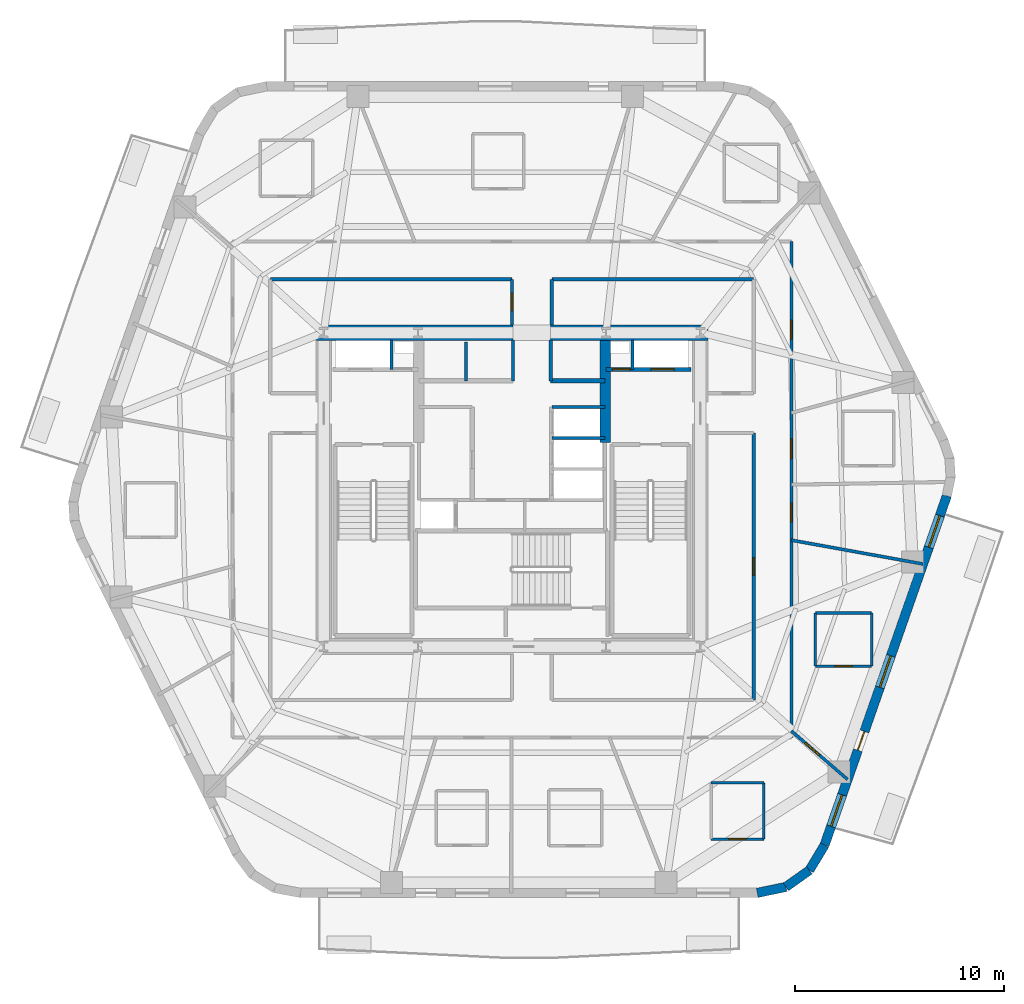
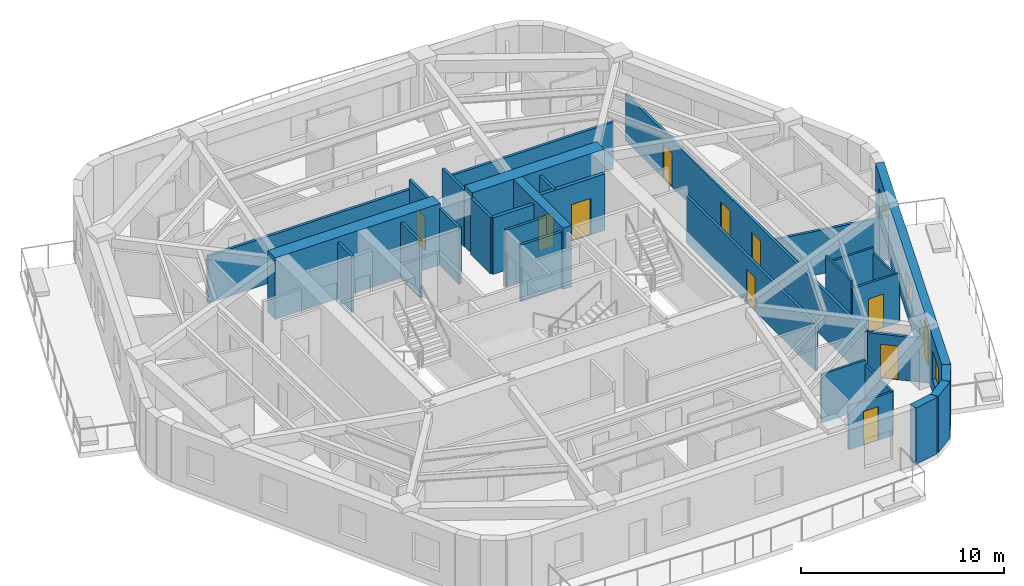
# One storey, part 5 of 11: 31 walls, 11 doors, 3 windows, 14 openings.
"""IFC4 building model written with IfcOpenShell, lengths in metres."""

from ifc_helpers import new_model, si_unit, direction, frame, frame_2d, origin, place, context, subcontext, project, spatial, rectangle, extrude, material, layer, layer_set, type_object, element, fill, save


model = new_model("IFC4")

# Units and contexts
model_context = context("Model", 3, precision=1e-05, world=origin(), true_north=direction((0.0, 1.0)))
body_context = subcontext(model_context, "Body", "Model", "MODEL_VIEW")
ifc_project = project(units=[si_unit("LENGTHUNIT", "METRE"), si_unit("AREAUNIT", "SQUARE_METRE"), si_unit("VOLUMEUNIT", "CUBIC_METRE"), si_unit("PLANEANGLEUNIT", "RADIAN"), si_unit("MASSUNIT", "GRAM", prefix="KILO")], contexts=[model_context])

# Site, building, storey
site_placement = place(None, origin())
site = spatial("IfcSite", under=ifc_project, at=site_placement, CompositionType="ELEMENT")
building_placement = place(site_placement, origin())
building = spatial("IfcBuilding", under=site, at=building_placement, Name="Kilnhurst Terrace Hotel", CompositionType="ELEMENT")
storey_placement = place(building_placement, frame((0.0, 0.0, 194.10009765625)))
storey = spatial("IfcBuildingStorey", under=building, at=storey_placement, Name="L48", CompositionType="ELEMENT", Elevation=194.10009765625)

# Walls
ifc_material_1 = material(Name="Precast concrete C40/50", Category="concrete")
ifc_layer_1 = layer(ifc_material_1, 0.449951171875, Name="Precast concrete C40/50")
ifc_layer_set_1 = layer_set([ifc_layer_1], Name="Precast concrete C40/50")
wall_type_1 = type_object("IfcWallType", Name="WL-BRK-450", PredefinedType="SOLIDWALL", material=ifc_layer_set_1)
wall_1_placement = place(storey_placement, frame((11.720458984375, -19.27490234375, 0.0), z_axis=(0.0, 0.0, 1.0), x_axis=(0.97893106758, 0.204191001093, 0.0)))
element("IfcWall", 1, at=wall_1_placement, inside=storey, type_object=wall_type_1, Name="L48 Rounded Corner Brick Wall C2.1", PredefinedType="SOLIDWALL", context=body_context, shape_type="SweptSolid", body=[
    extrude(rectangle(XDim=1.400146484375, YDim=0.449951171875, at=frame_2d((0.7001953125, 0.0))), origin(), (0.0, 0.0, 1.0), 3.39990234375),
])
wall_2_placement = place(storey_placement, frame((13.091064453125, -18.989013671875, 0.0), z_axis=(0.0, 0.0, 1.0), x_axis=(0.815574637848, 0.578651890258, 0.0)))
element("IfcWall", 2, at=wall_2_placement, inside=storey, type_object=wall_type_1, Name="L48 Rounded Corner Brick Wall C2.2", PredefinedType="SOLIDWALL", context=body_context, shape_type="SweptSolid", body=[
    extrude(rectangle(XDim=1.376708984375, YDim=0.449951171875, at=frame_2d((0.6884765625, 0.0))), origin(), (0.0, 0.0, 1.0), 3.39990234375),
])
wall_3_placement = place(storey_placement, frame((14.2138671875, -18.1923828125, 0.0), z_axis=(0.0, 0.0, 1.0), x_axis=(0.516340945502, 0.856383108193, 0.0)))
element("IfcWall", 3, at=wall_3_placement, inside=storey, type_object=wall_type_1, Name="L48 Rounded Corner Brick Wall C2.3", PredefinedType="SOLIDWALL", context=body_context, shape_type="SweptSolid", body=[
    extrude(rectangle(XDim=1.400146484375, YDim=0.449951171875, at=frame_2d((0.7001953125, 0.0))), origin(), (0.0, 0.0, 1.0), 3.39990234375),
])

# Wall, openings, door, windows
wall_4_placement = place(storey_placement, frame((14.936767578125, -16.993408203125, 0.0), z_axis=(0.0, 0.0, 1.0), x_axis=(0.330431575061, 0.943829949834, 0.0)))
wall_4 = element("IfcWall", 4, at=wall_4_placement, inside=storey, type_object=wall_type_1, Name="L48 Exterior Brick Facade Wall F2", PredefinedType="SOLIDWALL", context=body_context, shape_type="SweptSolid", body=[
    extrude(rectangle(XDim=17.68896484375, YDim=0.449951171875, at=frame_2d((8.844482421875, 0.0))), origin(), (0.0, 0.0, 1.0), 3.39990234375),
])
opening_1_placement = place(wall_4_placement, frame((4.806884765625, 0.0, 0.0)))
opening_1 = element("IfcOpeningElement", 5, at=opening_1_placement, cuts=wall_4, Name="Opening BD-950", PredefinedType="OPENING", context=body_context, shape_type="SweptSolid", body=[
    extrude(rectangle(XDim=0.949951171875, YDim=2.14990234375, at=frame_2d((0.47509765625, 1.074951171875))), frame((0.0, 0.23486328125, 0.0), z_axis=(0.0, -1.0, 0.0), x_axis=(1.0, 0.0, 0.0)), (0.0, 0.0, 1.0), 0.469970703125),
])
opening_2_placement = place(wall_4_placement, frame((0.949951171875, 0.0, 0.800048828125)))
opening_2 = element("IfcOpeningElement", 6, at=opening_2_placement, cuts=wall_4, Name="Opening W-05", PredefinedType="OPENING", context=body_context, shape_type="SweptSolid", body=[
    extrude(rectangle(XDim=1.60009765625, YDim=1.75, at=frame_2d((0.800048828125, 0.875))), frame((0.0, 0.23486328125, 0.0), z_axis=(0.0, -1.0, 0.0), x_axis=(1.0, 0.0, 0.0)), (0.0, 0.0, 1.0), 0.469970703125),
])
opening_3_placement = place(wall_4_placement, frame((7.989990234375, 0.0, 0.800048828125)))
opening_3 = element("IfcOpeningElement", 7, at=opening_3_placement, cuts=wall_4, Name="Opening W-05", PredefinedType="OPENING", context=body_context, shape_type="SweptSolid", body=[
    extrude(rectangle(XDim=1.60009765625, YDim=1.75, at=frame_2d((0.800048828125, 0.875))), frame((0.0, 0.23486328125, 0.0), z_axis=(0.0, -1.0, 0.0), x_axis=(1.0, 0.0, 0.0)), (0.0, 0.0, 1.0), 0.469970703125),
])
opening_4_placement = place(wall_4_placement, frame((15.083984375, 0.0, 0.800048828125)))
opening_4 = element("IfcOpeningElement", 8, at=opening_4_placement, cuts=wall_4, Name="Opening W-05", PredefinedType="OPENING", context=body_context, shape_type="SweptSolid", body=[
    extrude(rectangle(XDim=1.60009765625, YDim=1.75, at=frame_2d((0.800048828125, 0.875))), frame((0.0, 0.23486328125, 0.0), z_axis=(0.0, -1.0, 0.0), x_axis=(1.0, 0.0, 0.0)), (0.0, 0.0, 1.0), 0.469970703125),
])
ifc_material_2 = material(Name="Thermally Broken Bronze Aluminium Alloy 6063-T6 and Laminated Glass", Category="aluminium")
door_type_1 = type_object("IfcDoorType", Name="DR-EXT-BAL-950", OperationType="NOTDEFINED", PredefinedType="DOOR", material=ifc_material_2)
door_1_placement = place(opening_1_placement, origin())
door_1 = element("IfcDoor", 9, at=door_1_placement, inside=storey, type_object=door_type_1, Name="L48 Planted Balcony Door BAL-L1B", OperationType="SINGLE_SWING_RIGHT", OverallHeight=2.14990234375, OverallWidth=0.949951171875, PredefinedType="DOOR", context=body_context, shape_type="SweptSolid", body=[
    extrude(rectangle(XDim=0.949951171875, YDim=2.14990234375, at=frame_2d((0.47509765625, 1.074951171875))), frame((0.0, 0.02490234375, 0.0), z_axis=(0.0, -1.0, 0.0), x_axis=(1.0, 0.0, 0.0)), (0.0, 0.0, 1.0), 0.050048828125),
])
fill(opening_1, door_1)
ifc_material_3 = material(Name="Thermally Broken Bronze Aluminium Alloy 6063-T6 and Low-E Glass", Category="aluminium")
window_type = type_object("IfcWindowType", Name="WIN-1600X1750", PartitioningType="SINGLE_PANEL", PredefinedType="WINDOW", material=ifc_material_3)
window_1_placement = place(opening_2_placement, origin())
window_1 = element("IfcWindow", 10, at=window_1_placement, inside=storey, type_object=window_type, Name="L48 Deep-Set Masonry Window F2.1", OverallHeight=1.75, OverallWidth=1.60009765625, PartitioningType="SINGLE_PANEL", PredefinedType="WINDOW", context=body_context, shape_type="SweptSolid", body=[
    extrude(rectangle(XDim=1.60009765625, YDim=1.75, at=frame_2d((0.800048828125, 0.875))), frame((0.0, 0.030029296875, 0.0), z_axis=(0.0, -1.0, 0.0), x_axis=(1.0, 0.0, 0.0)), (0.0, 0.0, 1.0), 0.06005859375),
])
fill(opening_2, window_1)
window_2_placement = place(opening_3_placement, origin())
window_2 = element("IfcWindow", 11, at=window_2_placement, inside=storey, type_object=window_type, Name="L48 Deep-Set Masonry Window F2.2", OverallHeight=1.75, OverallWidth=1.60009765625, PartitioningType="SINGLE_PANEL", PredefinedType="WINDOW", context=body_context, shape_type="SweptSolid", body=[
    extrude(rectangle(XDim=1.60009765625, YDim=1.75, at=frame_2d((0.800048828125, 0.875))), frame((0.0, 0.030029296875, 0.0), z_axis=(0.0, -1.0, 0.0), x_axis=(1.0, 0.0, 0.0)), (0.0, 0.0, 1.0), 0.06005859375),
])
fill(opening_3, window_2)
window_3_placement = place(opening_4_placement, origin())
window_3 = element("IfcWindow", 12, at=window_3_placement, inside=storey, type_object=window_type, Name="L48 Deep-Set Masonry Window F2.3", OverallHeight=1.75, OverallWidth=1.60009765625, PartitioningType="SINGLE_PANEL", PredefinedType="WINDOW", context=body_context, shape_type="SweptSolid", body=[
    extrude(rectangle(XDim=1.60009765625, YDim=1.75, at=frame_2d((0.800048828125, 0.875))), frame((0.0, 0.030029296875, 0.0), z_axis=(0.0, -1.0, 0.0), x_axis=(1.0, 0.0, 0.0)), (0.0, 0.0, 1.0), 0.06005859375),
])
fill(opening_4, window_3)

# Wall, openings, doors
ifc_material_4 = material(Name="Acoustic Double-Gypsum Corridor Partition Assembly")
ifc_layer_2 = layer(ifc_material_4, 0.14990234375, Name="Acoustic Double-Gypsum Corridor Partition Assembly")
ifc_layer_set_2 = layer_set([ifc_layer_2], Name="Acoustic Double-Gypsum Corridor Partition Assembly")
wall_type_2 = type_object("IfcWallType", Name="WL-COR-150", PredefinedType="PARTITIONING", material=ifc_layer_set_2)
wall_5_placement = place(storey_placement, frame((13.35009765625, 11.85009765625, 0.0), z_axis=(0.0, 0.0, 1.0), x_axis=(0.0, -1.0, 0.0)))
wall_5 = element("IfcWall", 13, at=wall_5_placement, inside=storey, type_object=wall_type_2, Name="L48 Interior Wall WL-L48-COR-04", PredefinedType="PARTITIONING", context=body_context, shape_type="SweptSolid", body=[
    extrude(rectangle(XDim=23.7001953125, YDim=0.14990234375, at=frame_2d((11.85009765625, 0.0))), origin(), (0.0, 0.0, 1.0), 2.83984375),
])
opening_5_placement = place(wall_5_placement, frame((9.424072265625, 0.0, 0.0)))
opening_5 = element("IfcOpeningElement", 14, at=opening_5_placement, cuts=wall_5, Name="Opening D-60B", PredefinedType="OPENING", context=body_context, shape_type="SweptSolid", body=[
    extrude(rectangle(XDim=0.949951171875, YDim=2.030029296875, at=frame_2d((0.47509765625, 1.01513671875))), frame((0.0, 0.0849609375, 0.0), z_axis=(0.0, -1.0, 0.0), x_axis=(1.0, 0.0, 0.0)), (0.0, 0.0, 1.0), 0.169921875),
])
opening_6_placement = place(wall_5_placement, frame((3.764892578125, 0.0, 0.0)))
opening_6 = element("IfcOpeningElement", 15, at=opening_6_placement, cuts=wall_5, Name="Opening D-60C", PredefinedType="OPENING", context=body_context, shape_type="SweptSolid", body=[
    extrude(rectangle(XDim=0.89990234375, YDim=2.030029296875, at=frame_2d((0.449951171875, 1.01513671875))), frame((0.0, 0.0849609375, 0.0), z_axis=(0.0, -1.0, 0.0), x_axis=(1.0, 0.0, 0.0)), (0.0, 0.0, 1.0), 0.169921875),
])
opening_7_placement = place(wall_5_placement, frame((12.493896484375, 0.0, 0.0)))
opening_7 = element("IfcOpeningElement", 16, at=opening_7_placement, cuts=wall_5, Name="Opening D-60C", PredefinedType="OPENING", context=body_context, shape_type="SweptSolid", body=[
    extrude(rectangle(XDim=0.89990234375, YDim=2.030029296875, at=frame_2d((0.449951171875, 1.01513671875))), frame((0.0, 0.0849609375, 0.0), z_axis=(0.0, -1.0, 0.0), x_axis=(1.0, 0.0, 0.0)), (0.0, 0.0, 1.0), 0.169921875),
])
ifc_material_5 = material(Name="Painted Solid-Core Service Fire Door")
door_type_2 = type_object("IfcDoorType", Name="DR-FD60-900", OperationType="NOTDEFINED", PredefinedType="DOOR", material=ifc_material_5)
door_2_placement = place(opening_6_placement, origin())
door_2 = element("IfcDoor", 17, at=door_2_placement, inside=storey, type_object=door_type_2, Name="L48 Private Study Salon Door 2", OperationType="SINGLE_SWING_RIGHT", OverallHeight=2.030029296875, OverallWidth=0.89990234375, PredefinedType="DOOR", context=body_context, shape_type="SweptSolid", body=[
    extrude(rectangle(XDim=0.89990234375, YDim=2.030029296875, at=frame_2d((0.449951171875, 1.01513671875))), frame((0.0, 0.02490234375, 0.0), z_axis=(0.0, -1.0, 0.0), x_axis=(1.0, 0.0, 0.0)), (0.0, 0.0, 1.0), 0.050048828125),
])
fill(opening_6, door_2)
door_3_placement = place(opening_7_placement, origin())
door_3 = element("IfcDoor", 18, at=door_3_placement, inside=storey, type_object=door_type_2, Name="L48 Private Study Salon Door 17", OperationType="SINGLE_SWING_LEFT", OverallHeight=2.030029296875, OverallWidth=0.89990234375, PredefinedType="DOOR", context=body_context, shape_type="SweptSolid", body=[
    extrude(rectangle(XDim=0.89990234375, YDim=2.030029296875, at=frame_2d((0.449951171875, 1.01513671875))), frame((0.0, 0.02490234375, 0.0), z_axis=(0.0, -1.0, 0.0), x_axis=(1.0, 0.0, 0.0)), (0.0, 0.0, 1.0), 0.050048828125),
])
fill(opening_7, door_3)
ifc_material_6 = material(Name="Acoustic Walnut Veneer Solid-Core Fire Door")
door_type_3 = type_object("IfcDoorType", Name="DR-FD60-950", OperationType="NOTDEFINED", PredefinedType="DOOR", material=ifc_material_6)
door_4_placement = place(opening_5_placement, origin())
door_4 = element("IfcDoor", 19, at=door_4_placement, inside=storey, type_object=door_type_3, Name="L48 Guest Room Entry Door 1", OperationType="SINGLE_SWING_LEFT", OverallHeight=2.030029296875, OverallWidth=0.949951171875, PredefinedType="DOOR", context=body_context, shape_type="SweptSolid", body=[
    extrude(rectangle(XDim=0.949951171875, YDim=2.030029296875, at=frame_2d((0.47509765625, 1.01513671875))), frame((0.0, 0.02490234375, 0.0), z_axis=(0.0, -1.0, 0.0), x_axis=(1.0, 0.0, 0.0)), (0.0, 0.0, 1.0), 0.050048828125),
])
fill(opening_5, door_4)

# Wall, opening, door
wall_6_placement = place(storey_placement, frame((11.550048828125, -10.050048828125, 0.0), z_axis=(0.0, 0.0, 1.0), x_axis=(0.0, 1.0, 0.0)))
wall_6 = element("IfcWall", 20, at=wall_6_placement, inside=storey, type_object=wall_type_2, Name="L48 Interior Wall WL-L48-COR-05", PredefinedType="PARTITIONING", context=body_context, shape_type="SweptSolid", body=[
    extrude(rectangle(XDim=12.75, YDim=0.14990234375, at=frame_2d((6.375, 0.0))), origin(), (0.0, 0.0, 1.0), 2.83984375),
])
opening_8_placement = place(wall_6_placement, frame((5.949951171875, 0.0, 0.0)))
opening_8 = element("IfcOpeningElement", 21, at=opening_8_placement, cuts=wall_6, Name="Opening D-60D", PredefinedType="OPENING", context=body_context, shape_type="SweptSolid", body=[
    extrude(rectangle(XDim=0.85009765625, YDim=2.030029296875, at=frame_2d((0.425048828125, 1.01513671875))), frame((0.0, 0.0849609375, 0.0), z_axis=(0.0, -1.0, 0.0), x_axis=(1.0, 0.0, 0.0)), (0.0, 0.0, 1.0), 0.169921875),
])
ifc_material_7 = material(Name="Painted Hollow Metal Steel ASTM A36 Riser Door", Category="steel")
door_type_4 = type_object("IfcDoorType", Name="DR-FD60-850", OperationType="NOTDEFINED", PredefinedType="DOOR", material=ifc_material_7)
door_5_placement = place(opening_8_placement, origin())
door_5 = element("IfcDoor", 22, at=door_5_placement, inside=storey, type_object=door_type_4, Name="L48 Floor Electrical Switch Room Door", OperationType="SINGLE_SWING_RIGHT", OverallHeight=2.030029296875, OverallWidth=0.85009765625, PredefinedType="DOOR", context=body_context, shape_type="SweptSolid", body=[
    extrude(rectangle(XDim=0.85009765625, YDim=2.030029296875, at=frame_2d((0.425048828125, 1.01513671875))), frame((0.0, 0.02490234375, 0.0), z_axis=(0.0, -1.0, 0.0), x_axis=(1.0, 0.0, 0.0)), (0.0, 0.0, 1.0), 0.050048828125),
])
fill(opening_8, door_5)

# Walls
wall_7_placement = place(storey_placement, frame((11.550048828125, 10.050048828125, 0.0), z_axis=(0.0, 0.0, 1.0), x_axis=(-1.0, 0.0, 0.0)))
element("IfcWall", 23, at=wall_7_placement, inside=storey, type_object=wall_type_2, Name="L48 Interior Wall WL-L48-COR-09", PredefinedType="PARTITIONING", context=body_context, shape_type="SweptSolid", body=[
    extrude(rectangle(XDim=9.650146484375, YDim=0.14990234375, at=frame_2d((4.8251953125, 0.0))), origin(), (0.0, 0.0, 1.0), 2.83984375),
])
wall_8_placement = place(storey_placement, frame((1.89990234375, 10.050048828125, 0.0), z_axis=(0.0, 0.0, 1.0), x_axis=(0.0, -1.0, 0.0)))
element("IfcWall", 24, at=wall_8_placement, inside=storey, type_object=wall_type_2, Name="L48 Interior Wall WL-L48-COR-10", PredefinedType="PARTITIONING", context=body_context, shape_type="SweptSolid", body=[
    extrude(rectangle(XDim=2.175048828125, YDim=0.14990234375, at=frame_2d((1.08740234375, 0.0))), origin(), (0.0, 0.0, 1.0), 3.39990234375),
])

# Wall, opening, door
wall_9_placement = place(storey_placement, frame((0.0, 7.875, 0.0), z_axis=(0.0, 0.0, 1.0), x_axis=(0.0, 1.0, 0.0)))
wall_9 = element("IfcWall", 25, at=wall_9_placement, inside=storey, type_object=wall_type_2, Name="L48 Interior Wall WL-L48-COR-11", PredefinedType="PARTITIONING", context=body_context, shape_type="SweptSolid", body=[
    extrude(rectangle(XDim=2.175048828125, YDim=0.14990234375, at=frame_2d((1.08740234375, 0.0))), origin(), (0.0, 0.0, 1.0), 3.39990234375),
])
opening_9_placement = place(wall_9_placement, frame((0.6630859375, 0.0, 0.0)))
opening_9 = element("IfcOpeningElement", 26, at=opening_9_placement, cuts=wall_9, Name="Opening D-60D", PredefinedType="OPENING", context=body_context, shape_type="SweptSolid", body=[
    extrude(rectangle(XDim=0.85009765625, YDim=2.030029296875, at=frame_2d((0.425048828125, 1.01513671875))), frame((0.0, 0.0849609375, 0.0), z_axis=(0.0, -1.0, 0.0), x_axis=(1.0, 0.0, 0.0)), (0.0, 0.0, 1.0), 0.169921875),
])
door_6_placement = place(opening_9_placement, origin())
door_6 = element("IfcDoor", 27, at=door_6_placement, inside=storey, type_object=door_type_4, Name="L48 Floor Valet Equipment Store Door", OperationType="SINGLE_SWING_RIGHT", OverallHeight=2.030029296875, OverallWidth=0.85009765625, PredefinedType="DOOR", context=body_context, shape_type="SweptSolid", body=[
    extrude(rectangle(XDim=0.85009765625, YDim=2.030029296875, at=frame_2d((0.425048828125, 1.01513671875))), frame((0.0, 0.02490234375, 0.0), z_axis=(0.0, -1.0, 0.0), x_axis=(1.0, 0.0, 0.0)), (0.0, 0.0, 1.0), 0.050048828125),
])
fill(opening_9, door_6)

# Walls
wall_10_placement = place(storey_placement, frame((0.0, 10.050048828125, 0.0), z_axis=(0.0, 0.0, 1.0), x_axis=(-1.0, 0.0, 0.0)))
element("IfcWall", 28, at=wall_10_placement, inside=storey, type_object=wall_type_2, Name="L48 Interior Wall WL-L48-COR-12", PredefinedType="PARTITIONING", context=body_context, shape_type="SweptSolid", body=[
    extrude(rectangle(XDim=11.550048828125, YDim=0.14990234375, at=frame_2d((5.77490234375, 0.0))), origin(), (0.0, 0.0, 1.0), 2.83984375),
])
ifc_material_8 = material(Name="Concrete C60/75", Category="concrete")
ifc_layer_3 = layer(ifc_material_8, 0.75, Name="Concrete C60/75")
ifc_layer_set_3 = layer_set([ifc_layer_3], Name="Concrete C60/75")
wall_type_3 = type_object("IfcWallType", Name="WL-CORE-750", PredefinedType="SHEAR", material=ifc_layer_set_3)
wall_11_placement = place(storey_placement, frame((-9.375, 7.5, 0.0), z_axis=(0.0, 0.0, 1.0), x_axis=(1.0, 0.0, 0.0)))
element("IfcWall", 29, at=wall_11_placement, inside=storey, type_object=wall_type_3, Name="L48 Core North West Shear Wall", PredefinedType="SHEAR", context=body_context, shape_type="SweptSolid", body=[
    extrude(rectangle(XDim=9.425048828125, YDim=0.75, at=frame_2d((4.71240234375, 0.0))), origin(), (0.0, 0.0, 1.0), 3.699951171875),
])
wall_12_placement = place(storey_placement, frame((1.85009765625, 7.5, 0.0), z_axis=(0.0, 0.0, 1.0), x_axis=(1.0, 0.0, 0.0)))
element("IfcWall", 30, at=wall_12_placement, inside=storey, type_object=wall_type_3, Name="L48 Core North East Shear Wall", PredefinedType="SHEAR", context=body_context, shape_type="SweptSolid", body=[
    extrude(rectangle(XDim=7.52490234375, YDim=0.75, at=frame_2d((3.762451171875, 0.0))), origin(), (0.0, 0.0, 1.0), 3.699951171875),
])
ifc_layer_4 = layer(ifc_material_8, 0.5, Name="Concrete C60/75")
ifc_layer_set_4 = layer_set([ifc_layer_4], Name="Concrete C60/75")
wall_type_4 = type_object("IfcWallType", Name="WL-CORE-WEB-500", PredefinedType="SHEAR", material=ifc_layer_set_4)
wall_13_placement = place(storey_placement, frame((4.449951171875, 2.25, 0.0), z_axis=(0.0, 0.0, 1.0), x_axis=(0.0, 1.0, 0.0)))
element("IfcWall", 31, at=wall_13_placement, inside=storey, type_object=wall_type_4, Name="L48 Core Internal East Shear Web", PredefinedType="SHEAR", context=body_context, shape_type="SweptSolid", body=[
    extrude(rectangle(XDim=4.875, YDim=0.5, at=frame_2d((2.4375, 0.0))), origin(), (0.0, 0.0, 1.0), 3.699951171875),
])

# Wall, opening, door
ifc_material_9 = material(Name="STC-58 Acoustic Twin-Frame Guestroom Demising Partition")
ifc_layer_5 = layer(ifc_material_9, 0.14990234375, Name="STC-58 Acoustic Twin-Frame Guestroom Demising Partition")
ifc_layer_set_5 = layer_set([ifc_layer_5], Name="STC-58 Acoustic Twin-Frame Guestroom Demising Partition")
wall_type_5 = type_object("IfcWallType", Name="WL-DEM-150", PredefinedType="PARTITIONING", material=ifc_layer_set_5)
wall_14_placement = place(storey_placement, frame((13.35009765625, -11.53271484375, 0.0), z_axis=(0.0, 0.0, 1.0), x_axis=(0.756711647314, -0.65374879183, 0.0)))
wall_14 = element("IfcWall", 32, at=wall_14_placement, inside=storey, type_object=wall_type_5, Name="L48 Interior Wall WL-L48-DEM-COL11-16-1", PredefinedType="PARTITIONING", context=body_context, shape_type="SweptSolid", body=[
    extrude(rectangle(XDim=3.549560546875, YDim=0.14990234375, at=frame_2d((1.77490234375, 0.0))), origin(), (0.0, 0.0, 1.0), 2.639892578125),
])
opening_10_placement = place(wall_14_placement, frame((0.875, 0.0, 0.0)))
opening_10 = element("IfcOpeningElement", 33, at=opening_10_placement, cuts=wall_14, Name="Opening D-09B", PredefinedType="OPENING", context=body_context, shape_type="SweptSolid", body=[
    extrude(rectangle(XDim=0.89990234375, YDim=2.030029296875, at=frame_2d((0.449951171875, 1.01513671875))), frame((0.0, 0.0849609375, 0.0), z_axis=(0.0, -1.0, 0.0), x_axis=(1.0, 0.0, 0.0)), (0.0, 0.0, 1.0), 0.169921875),
])
ifc_material_10 = material(Name="Moisture-Resistant Solid-Core Restroom Door")
door_type_5 = type_object("IfcDoorType", Name="DR-INT-900", OperationType="NOTDEFINED", PredefinedType="DOOR", material=ifc_material_10)
door_7_placement = place(opening_10_placement, origin())
door_7 = element("IfcDoor", 34, at=door_7_placement, inside=storey, type_object=door_type_5, Name="L48 Sky Residence Bedroom Door 15", OperationType="SINGLE_SWING_LEFT", OverallHeight=2.030029296875, OverallWidth=0.89990234375, PredefinedType="DOOR", context=body_context, shape_type="SweptSolid", body=[
    extrude(rectangle(XDim=0.89990234375, YDim=2.030029296875, at=frame_2d((0.449951171875, 1.01513671875))), frame((0.0, 0.02490234375, 0.0), z_axis=(0.0, -1.0, 0.0), x_axis=(1.0, 0.0, 0.0)), (0.0, 0.0, 1.0), 0.050048828125),
])
fill(opening_10, door_7)

# Wall
wall_15_placement = place(storey_placement, frame((13.35009765625, -2.417236328125, 0.0), z_axis=(0.0, 0.0, 1.0), x_axis=(0.98399796473, -0.178179699761, 0.0)))
element("IfcWall", 35, at=wall_15_placement, inside=storey, type_object=wall_type_5, Name="L48 Interior Wall WL-L48-DEM-COL12-17-1", PredefinedType="PARTITIONING", context=body_context, shape_type="SweptSolid", body=[
    extrude(rectangle(XDim=6.393310546875, YDim=0.14990234375, at=frame_2d((3.19677734375, 0.0))), origin(), (0.0, 0.0, 1.0), 2.639892578125),
])

# Wall, opening, door
ifc_material_11 = material(Name="120 mm Moisture-Resistant Tile-Backed Bathroom Partition")
ifc_layer_6 = layer(ifc_material_11, 0.1201171875, Name="120 mm Moisture-Resistant Tile-Backed Bathroom Partition")
ifc_layer_set_6 = layer_set([ifc_layer_6], Name="120 mm Moisture-Resistant Tile-Backed Bathroom Partition")
wall_type_6 = type_object("IfcWallType", Name="WL-PART-120", PredefinedType="PARTITIONING", material=ifc_layer_set_6)
wall_16_placement = place(storey_placement, frame((9.51611328125, -16.701904296875, 0.0), z_axis=(0.0, 0.0, 1.0), x_axis=(1.0, 0.0, 0.0)))
wall_16 = element("IfcWall", 36, at=wall_16_placement, inside=storey, type_object=wall_type_6, Name="L48 Interior Wall WL-L48-KIT-15-1", PredefinedType="PARTITIONING", context=body_context, shape_type="SweptSolid", body=[
    extrude(rectangle(XDim=2.519775390625, YDim=0.1201171875, at=frame_2d((1.259765625, 0.0))), origin(), (0.0, 0.0, 1.0), 2.639892578125),
])
opening_11_placement = place(wall_16_placement, frame((0.8349609375, 0.0, 0.0)))
opening_11 = element("IfcOpeningElement", 37, at=opening_11_placement, cuts=wall_16, Name="Opening D-08A", PredefinedType="OPENING", context=body_context, shape_type="SweptSolid", body=[
    extrude(rectangle(XDim=0.85009765625, YDim=2.030029296875, at=frame_2d((0.425048828125, 1.01513671875))), frame((0.0, 0.070068359375, 0.0), z_axis=(0.0, -1.0, 0.0), x_axis=(1.0, 0.0, 0.0)), (0.0, 0.0, 1.0), 0.14013671875),
])
ifc_material_12 = material(Name="Moisture-Resistant Lacquered En-suite Bathroom Door")
door_type_6 = type_object("IfcDoorType", Name="DR-INT-850", OperationType="NOTDEFINED", PredefinedType="DOOR", material=ifc_material_12)
door_8_placement = place(opening_11_placement, origin())
door_8 = element("IfcDoor", 38, at=door_8_placement, inside=storey, type_object=door_type_6, Name="L48 Sky Residence Kitchen Door 15", OperationType="SINGLE_SWING_RIGHT", OverallHeight=2.030029296875, OverallWidth=0.85009765625, PredefinedType="DOOR", context=body_context, shape_type="SweptSolid", body=[
    extrude(rectangle(XDim=0.85009765625, YDim=2.030029296875, at=frame_2d((0.425048828125, 1.01513671875))), frame((0.0, 0.02490234375, 0.0), z_axis=(0.0, -1.0, 0.0), x_axis=(1.0, 0.0, 0.0)), (0.0, 0.0, 1.0), 0.050048828125),
])
fill(opening_11, door_8)

# Walls
wall_17_placement = place(storey_placement, frame((12.035888671875, -16.701904296875, 0.0), z_axis=(0.0, 0.0, 1.0), x_axis=(0.0, 1.0, 0.0)))
element("IfcWall", 39, at=wall_17_placement, inside=storey, type_object=wall_type_6, Name="L48 Interior Wall WL-L48-KIT-15-2", PredefinedType="PARTITIONING", context=body_context, shape_type="SweptSolid", body=[
    extrude(rectangle(XDim=2.679931640625, YDim=0.1201171875, at=frame_2d((1.33984375, 0.0))), origin(), (0.0, 0.0, 1.0), 2.639892578125),
])
wall_18_placement = place(storey_placement, frame((12.035888671875, -14.02197265625, 0.0), z_axis=(0.0, 0.0, 1.0), x_axis=(-1.0, 0.0, 0.0)))
element("IfcWall", 40, at=wall_18_placement, inside=storey, type_object=wall_type_6, Name="L48 Interior Wall WL-L48-KIT-15-3", PredefinedType="PARTITIONING", context=body_context, shape_type="SweptSolid", body=[
    extrude(rectangle(XDim=2.519775390625, YDim=0.1201171875, at=frame_2d((1.259765625, 0.0))), origin(), (0.0, 0.0, 1.0), 2.926513671875),
])

# Wall, opening, door
wall_19_placement = place(storey_placement, frame((14.5029296875, -8.43896484375, 0.0), z_axis=(0.0, 0.0, 1.0), x_axis=(1.0, 0.0, 0.0)))
wall_19 = element("IfcWall", 41, at=wall_19_placement, inside=storey, type_object=wall_type_6, Name="L48 Interior Wall WL-L48-RBTH-15-1", PredefinedType="PARTITIONING", context=body_context, shape_type="SweptSolid", body=[
    extrude(rectangle(XDim=2.68017578125, YDim=0.1201171875, at=frame_2d((1.340087890625, 0.0))), origin(), (0.0, 0.0, 1.0), 2.972412109375),
])
opening_12_placement = place(wall_19_placement, frame((0.9150390625, 0.0, 0.0)))
opening_12 = element("IfcOpeningElement", 42, at=opening_12_placement, cuts=wall_19, Name="Opening D-08A", PredefinedType="OPENING", context=body_context, shape_type="SweptSolid", body=[
    extrude(rectangle(XDim=0.85009765625, YDim=2.030029296875, at=frame_2d((0.425048828125, 1.01513671875))), frame((0.0, 0.070068359375, 0.0), z_axis=(0.0, -1.0, 0.0), x_axis=(1.0, 0.0, 0.0)), (0.0, 0.0, 1.0), 0.14013671875),
])
door_9_placement = place(opening_12_placement, origin())
door_9 = element("IfcDoor", 43, at=door_9_placement, inside=storey, type_object=door_type_6, Name="L48 Sky Residence Bathroom Door 15", OperationType="SINGLE_SWING_LEFT", OverallHeight=2.030029296875, OverallWidth=0.85009765625, PredefinedType="DOOR", context=body_context, shape_type="SweptSolid", body=[
    extrude(rectangle(XDim=0.85009765625, YDim=2.030029296875, at=frame_2d((0.425048828125, 1.01513671875))), frame((0.0, 0.02490234375, 0.0), z_axis=(0.0, -1.0, 0.0), x_axis=(1.0, 0.0, 0.0)), (0.0, 0.0, 1.0), 0.050048828125),
])
fill(opening_12, door_9)

# Walls
wall_20_placement = place(storey_placement, frame((17.18310546875, -8.43896484375, 0.0), z_axis=(0.0, 0.0, 1.0), x_axis=(0.0, 1.0, 0.0)))
element("IfcWall", 44, at=wall_20_placement, inside=storey, type_object=wall_type_6, Name="L48 Interior Wall WL-L48-RBTH-15-2", PredefinedType="PARTITIONING", context=body_context, shape_type="SweptSolid", body=[
    extrude(rectangle(XDim=2.5400390625, YDim=0.1201171875, at=frame_2d((1.27001953125, 0.0))), origin(), (0.0, 0.0, 1.0), 2.639892578125),
])
wall_21_placement = place(storey_placement, frame((17.18310546875, -5.89892578125, 0.0), z_axis=(0.0, 0.0, 1.0), x_axis=(-1.0, 0.0, 0.0)))
element("IfcWall", 45, at=wall_21_placement, inside=storey, type_object=wall_type_6, Name="L48 Interior Wall WL-L48-RBTH-15-3", PredefinedType="PARTITIONING", context=body_context, shape_type="SweptSolid", body=[
    extrude(rectangle(XDim=2.68017578125, YDim=0.1201171875, at=frame_2d((1.340087890625, 0.0))), origin(), (0.0, 0.0, 1.0), 2.972412109375),
])
wall_22_placement = place(storey_placement, frame((14.5029296875, -5.89892578125, 0.0), z_axis=(0.0, 0.0, 1.0), x_axis=(0.0, -1.0, 0.0)))
element("IfcWall", 46, at=wall_22_placement, inside=storey, type_object=wall_type_6, Name="L48 Interior Wall WL-L48-RBTH-15-4", PredefinedType="PARTITIONING", context=body_context, shape_type="SweptSolid", body=[
    extrude(rectangle(XDim=2.5400390625, YDim=0.1201171875, at=frame_2d((1.27001953125, 0.0))), origin(), (0.0, 0.0, 1.0), 3.39990234375),
])
ifc_material_13 = material(Name="Fire-Rated Gypsum Shaftliner Assembly")
ifc_layer_7 = layer(ifc_material_13, 0.14990234375, Name="Fire-Rated Gypsum Shaftliner Assembly")
ifc_layer_set_7 = layer_set([ifc_layer_7], Name="Fire-Rated Gypsum Shaftliner Assembly")
wall_type_7 = type_object("IfcWallType", Name="WL-SHAFT-150", PredefinedType="PARTITIONING", material=ifc_layer_set_7)
for number, where, z_axis, x_axis, name in (
    (47, (-5.75, 5.739990234375, 0.0), (0.0, 0.0, 1.0), (0.0, 1.0, 0.0), "L48 Interior Wall WL-L48-RIS1-DIV"),
    (48, (5.75, 5.739990234375, 0.0), (0.0, 0.0, 1.0), (0.0, 1.0, 0.0), "L48 Interior Wall WL-L48-RIS2-DIV"),
):
    element("IfcWall", number, at=place(storey_placement, frame(where, z_axis=z_axis, x_axis=x_axis)), inside=storey, type_object=wall_type_7, Name=name, PredefinedType="PARTITIONING", context=body_context, shape_type="SweptSolid", body=[
        extrude(rectangle(XDim=1.409912109375, YDim=0.14990234375, at=frame_2d((0.705078125, 0.0))), origin(), (0.0, 0.0, 1.0), 3.39990234375),
    ])
wall_23_placement = place(storey_placement, frame((-2.199951171875, 5.199951171875, 0.0), z_axis=(0.0, 0.0, 1.0), x_axis=(0.0, 1.0, 0.0)))
element("IfcWall", 49, at=wall_23_placement, inside=storey, type_object=wall_type_7, Name="L48 Interior Wall WL-L48-HR-DIV1", PredefinedType="PARTITIONING", context=body_context, shape_type="SweptSolid", body=[
    extrude(rectangle(XDim=1.85009765625, YDim=0.14990234375, at=frame_2d((0.925048828125, 0.0))), origin(), (0.0, 0.0, 1.0), 3.39990234375),
])
for number, where, z_axis, x_axis, name in (
    (50, (0.050048828125, 5.199951171875, 0.0), (0.0, 0.0, 1.0), (0.0, 1.0, 0.0), "L48 Interior Wall WL-L48-HR-PORTAL-W"),
    (51, (1.85009765625, 5.199951171875, 0.0), (0.0, 0.0, 1.0), (0.0, 1.0, 0.0), "L48 Interior Wall WL-L48-HR-PORTAL-E"),
):
    element("IfcWall", number, at=place(storey_placement, frame(where, z_axis=z_axis, x_axis=x_axis)), inside=storey, type_object=wall_type_7, Name=name, PredefinedType="PARTITIONING", context=body_context, shape_type="SweptSolid", body=[
        extrude(rectangle(XDim=1.949951171875, YDim=0.14990234375, at=frame_2d((0.97509765625, 0.0))), origin(), (0.0, 0.0, 1.0), 3.39990234375),
    ])
for number, where, z_axis, x_axis, name in (
    (52, (1.89990234375, 3.93994140625, 0.0), (0.0, 0.0, 1.0), (1.0, 0.0, 0.0), "L48 Interior Wall WL-L48-MR-NORTH"),
    (53, (1.89990234375, 2.4599609375, 0.0), (0.0, 0.0, 1.0), (1.0, 0.0, 0.0), "L48 Interior Wall WL-L48-MR-D2"),
):
    element("IfcWall", number, at=place(storey_placement, frame(where, z_axis=z_axis, x_axis=x_axis)), inside=storey, type_object=wall_type_7, Name=name, PredefinedType="PARTITIONING", context=body_context, shape_type="SweptSolid", body=[
        extrude(rectangle(XDim=2.550048828125, YDim=0.14990234375, at=frame_2d((1.27490234375, 0.0))), origin(), (0.0, 0.0, 1.0), 3.39990234375),
    ])

# Wall, openings, doors
ifc_material_14 = material(Name="Autoclaved Aerated Concrete C30/37 and Gypsum Shaft Assembly", Category="concrete")
ifc_layer_8 = layer(ifc_material_14, 0.199951171875, Name="Autoclaved Aerated Concrete C30/37 and Gypsum Shaft Assembly")
ifc_layer_set_8 = layer_set([ifc_layer_8], Name="Autoclaved Aerated Concrete C30/37 and Gypsum Shaft Assembly")
wall_type_8 = type_object("IfcWallType", Name="WL-SHAFT-200", PredefinedType="PARTITIONING", material=ifc_layer_set_8)
wall_24_placement = place(storey_placement, frame((4.5, 5.739990234375, 0.0), z_axis=(0.0, 0.0, 1.0), x_axis=(1.0, 0.0, 0.0)))
wall_24 = element("IfcWall", 54, at=wall_24_placement, inside=storey, type_object=wall_type_8, Name="L48 Interior Wall WL-L48-FSAE2-S", PredefinedType="PARTITIONING", context=body_context, shape_type="SweptSolid", body=[
    extrude(rectangle(XDim=4.050048828125, YDim=0.199951171875, at=frame_2d((2.02490234375, 0.0))), origin(), (0.0, 0.0, 1.0), 3.39990234375),
])
opening_13_placement = place(wall_24_placement, frame((0.300048828125, 0.0, 0.0)))
opening_13 = element("IfcOpeningElement", 55, at=opening_13_placement, cuts=wall_24, Name="Opening D-60D", PredefinedType="OPENING", context=body_context, shape_type="SweptSolid", body=[
    extrude(rectangle(XDim=0.85009765625, YDim=2.030029296875, at=frame_2d((0.425048828125, 1.01513671875))), frame((0.0, 0.10986328125, 0.0), z_axis=(0.0, -1.0, 0.0), x_axis=(1.0, 0.0, 0.0)), (0.0, 0.0, 1.0), 0.219970703125),
])
opening_14_placement = place(wall_24_placement, frame((2.14990234375, 0.0, 0.0)))
opening_14 = element("IfcOpeningElement", 56, at=opening_14_placement, cuts=wall_24, Name="Opening LD-F2", PredefinedType="OPENING", context=body_context, shape_type="SweptSolid", body=[
    extrude(rectangle(XDim=1.10009765625, YDim=2.199951171875, at=frame_2d((0.550048828125, 1.10009765625))), frame((0.0, 0.10986328125, 0.0), z_axis=(0.0, -1.0, 0.0), x_axis=(1.0, 0.0, 0.0)), (0.0, 0.0, 1.0), 0.219970703125),
])
door_10_placement = place(opening_13_placement, origin())
door_10 = element("IfcDoor", 57, at=door_10_placement, inside=storey, type_object=door_type_4, Name="L48 Telecom Riser Door", OperationType="SINGLE_SWING_RIGHT", OverallHeight=2.030029296875, OverallWidth=0.85009765625, PredefinedType="DOOR", context=body_context, shape_type="SweptSolid", body=[
    extrude(rectangle(XDim=0.85009765625, YDim=2.030029296875, at=frame_2d((0.425048828125, 1.01513671875))), frame((0.0, 0.02490234375, 0.0), z_axis=(0.0, -1.0, 0.0), x_axis=(1.0, 0.0, 0.0)), (0.0, 0.0, 1.0), 0.050048828125),
])
fill(opening_13, door_10)
ifc_material_15 = material(Name="Bronze-Anodized Stainless Steel AISI 316L Sliding Door", Category="steel")
door_type_7 = type_object("IfcDoorType", Name="DR-LIFT-1100", OperationType="NOTDEFINED", PredefinedType="DOOR", material=ifc_material_15)
door_11_placement = place(opening_14_placement, origin())
door_11 = element("IfcDoor", 58, at=door_11_placement, inside=storey, type_object=door_type_7, Name="L48 FSAE-2 Landing Door", OperationType="SLIDING_TO_RIGHT", OverallHeight=2.199951171875, OverallWidth=1.10009765625, PredefinedType="DOOR", context=body_context, shape_type="SweptSolid", body=[
    extrude(rectangle(XDim=1.10009765625, YDim=2.199951171875, at=frame_2d((0.550048828125, 1.10009765625))), frame((0.0, 0.02490234375, 0.0), z_axis=(0.0, -1.0, 0.0), x_axis=(1.0, 0.0, 0.0)), (0.0, 0.0, 1.0), 0.050048828125),
])
fill(opening_14, door_11)

# Wall
wall_25_placement = place(storey_placement, frame((1.85009765625, 5.199951171875, 0.0), z_axis=(0.0, 0.0, 1.0), x_axis=(1.0, 0.0, 0.0)))
element("IfcWall", 59, at=wall_25_placement, inside=storey, type_object=wall_type_8, Name="L48 Interior Wall WL-L48-HR-SE", PredefinedType="PARTITIONING", context=body_context, shape_type="SweptSolid", body=[
    extrude(rectangle(XDim=2.599853515625, YDim=0.199951171875, at=frame_2d((1.2998046875, 0.0))), origin(), (0.0, 0.0, 1.0), 3.39990234375),
])

save(model, "model.ifc")
